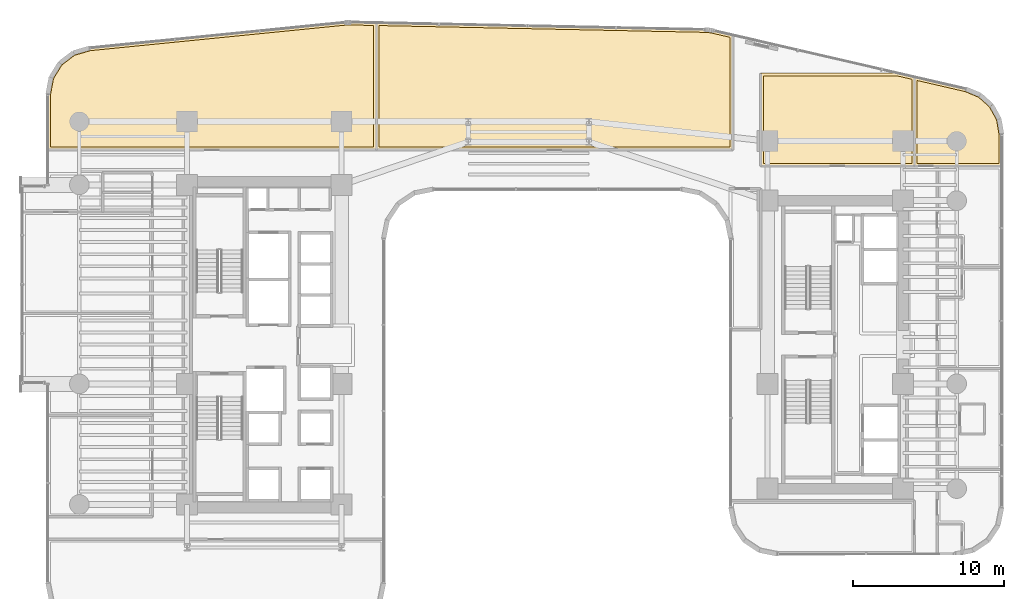
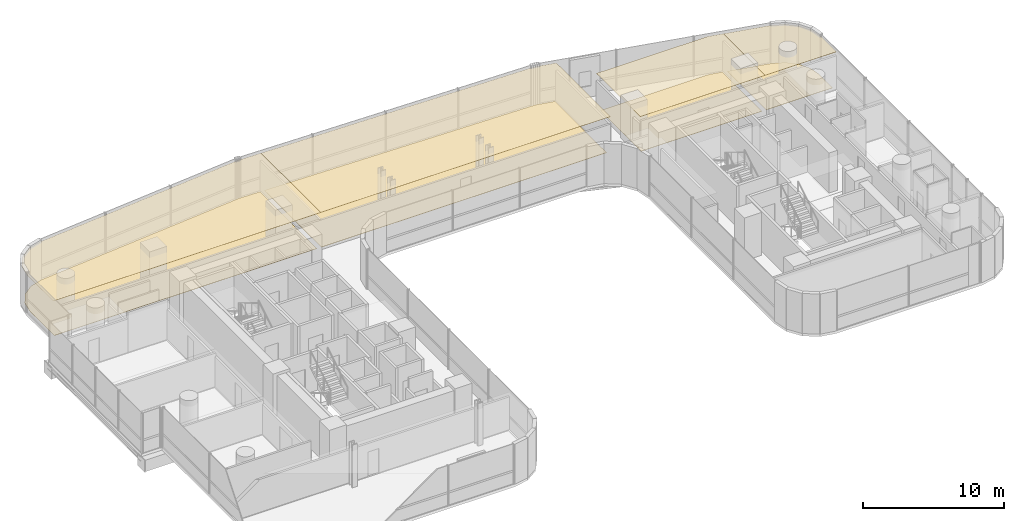
# One storey, part 39 of 39: 8 coverings.
"""IFC4 building model written with IfcOpenShell, lengths in metres."""

from ifc_helpers import new_model, si_unit, direction, frame, origin, place, context, subcontext, project, spatial, polyline, outline, extrude, material, layer, layer_set, type_object, element, save


model = new_model("IFC4")

# Units and contexts
model_context = context("Model", 3, precision=1e-05, world=origin(), true_north=direction((0.0, 1.0)))
body_context = subcontext(model_context, "Body", "Model", "MODEL_VIEW")
ifc_project = project(units=[si_unit("LENGTHUNIT", "METRE"), si_unit("AREAUNIT", "SQUARE_METRE"), si_unit("VOLUMEUNIT", "CUBIC_METRE"), si_unit("PLANEANGLEUNIT", "RADIAN"), si_unit("MASSUNIT", "GRAM", prefix="KILO")], contexts=[model_context])

# Site, building, storey
site_placement = place(None, origin())
site = spatial("IfcSite", under=ifc_project, at=site_placement, CompositionType="ELEMENT")
building_placement = place(site_placement, origin())
building = spatial("IfcBuilding", under=site, at=building_placement, Name="Valdorenza Pilgrim Sanctuary Tower", CompositionType="ELEMENT")
storey_placement = place(building_placement, frame((0.0, 0.0, 70.39990234375)))
storey = spatial("IfcBuildingStorey", under=building, at=storey_placement, Name="L17", CompositionType="ELEMENT", Elevation=70.39990234375)

# Coverings
ifc_material_1 = material(Name="Micro-perforated acoustic mineral ceiling tile", Category="gypsum")
ifc_layer_1 = layer(ifc_material_1, 0.02490234375, Name="Micro-perforated acoustic mineral ceiling tile")
ifc_layer_set_1 = layer_set([ifc_layer_1], Name="Micro-perforated acoustic mineral ceiling tile")
covering_type_1 = type_object("IfcCoveringType", Name="COV-CLG-ACU", PredefinedType="CEILING", material=ifc_layer_set_1)
covering_1_placement = place(storey_placement, frame((0.0, 0.0, 3.16015625)))
element("IfcCovering", 1, at=covering_1_placement, inside=storey, type_object=covering_type_1, Name="L17 Private Banquet Dining Room L17-N1 Acoustic Ceiling", PredefinedType="CEILING", context=body_context, shape_type="SweptSolid", body=[
    extrude(outline(polyline([(-31.889892578125, 12.905029296875), (-31.8916015625, 12.905029296875), (-31.892822265625, 12.9052734375), (-31.894287109375, 12.905517578125), (-31.895751953125, 12.906005859375), (-31.897216796875, 12.90673828125), (-31.898193359375, 12.907470703125), (-31.8994140625, 12.908447265625), (-31.900634765625, 12.909423828125), (-31.901611328125, 12.910400390625), (-31.902587890625, 12.91162109375), (-31.9033203125, 12.912841796875), (-31.90380859375, 12.914306640625), (-31.904296875, 12.91552734375), (-31.90478515625, 12.9169921875), (-31.90478515625, 12.91845703125), (-31.905029296875, 12.919921875), (-31.905029296875, 16.593994140625), (-31.90478515625, 16.59521484375), (-31.90478515625, 16.5966796875), (-31.6962890625, 17.717041015625), (-31.696044921875, 17.718505859375), (-31.695556640625, 17.7197265625), (-31.695068359375, 17.720947265625), (-31.6943359375, 17.72216796875), (-31.102294921875, 18.68408203125), (-31.1015625, 18.685302734375), (-31.100830078125, 18.686279296875), (-31.099853515625, 18.687255859375), (-31.0986328125, 18.688232421875), (-30.20068359375, 19.372802734375), (-30.199462890625, 19.37353515625), (-30.1982421875, 19.374267578125), (-30.197021484375, 19.374755859375), (-30.19580078125, 19.375244140625), (-29.1015625, 19.694091796875), (-29.10009765625, 19.694580078125), (-29.098876953125, 19.694580078125), (-12.18359375, 21.38623046875), (-12.183349609375, 21.38623046875), (-12.089599609375, 21.39404296875), (-12.089111328125, 21.39404296875), (-11.996337890625, 21.399169921875), (-11.995849609375, 21.3994140625), (-11.902587890625, 21.401611328125), (-11.90234375, 21.401611328125), (-11.808349609375, 21.40087890625), (-11.80810546875, 21.40087890625), (-10.0947265625, 21.365234375), (-10.09326171875, 21.365234375), (-10.091796875, 21.364990234375), (-10.09033203125, 21.364501953125), (-10.089111328125, 21.364013671875), (-10.087646484375, 21.36328125), (-10.08642578125, 21.36279296875), (-10.085205078125, 21.36181640625), (-10.084228515625, 21.36083984375), (-10.083251953125, 21.359619140625), (-10.08251953125, 21.3583984375), (-10.081787109375, 21.357421875), (-10.0810546875, 21.35595703125), (-10.08056640625, 21.3544921875), (-10.080322265625, 21.353271484375), (-10.080078125, 21.351806640625), (-10.080078125, 21.350341796875), (-10.080078125, 12.919921875), (-10.080078125, 12.91845703125), (-10.080322265625, 12.9169921875), (-10.08056640625, 12.91552734375), (-10.0810546875, 12.914306640625), (-10.081787109375, 12.912841796875), (-10.08251953125, 12.91162109375), (-10.08349609375, 12.910400390625), (-10.08447265625, 12.909423828125), (-10.08544921875, 12.908447265625), (-10.086669921875, 12.907470703125), (-10.087890625, 12.90673828125), (-10.08935546875, 12.906005859375), (-10.090576171875, 12.905517578125), (-10.092041015625, 12.9052734375), (-10.093505859375, 12.905029296875), (-10.094970703125, 12.905029296875), (-31.889892578125, 12.905029296875)])), origin(), (0.0, 0.0, 1.0), 0.02490234375),
])
covering_2_placement = place(storey_placement, frame((0.0, 0.0, 3.16015625)))
element("IfcCovering", 2, at=covering_2_placement, inside=storey, type_object=covering_type_1, Name="L17 Private Banquet Dining Room L17-N2 Acoustic Ceiling", PredefinedType="CEILING", context=body_context, shape_type="SweptSolid", body=[
    extrude(outline(polyline([(-10.093017578125, 12.905029296875), (-10.094482421875, 12.905029296875), (-10.095947265625, 12.9052734375), (-10.097412109375, 12.905517578125), (-10.0986328125, 12.906005859375), (-10.10009765625, 12.90673828125), (-10.101318359375, 12.907470703125), (-10.1025390625, 12.908447265625), (-10.103515625, 12.909423828125), (-10.1044921875, 12.910400390625), (-10.10546875, 12.91162109375), (-10.106201171875, 12.912841796875), (-10.10693359375, 12.914306640625), (-10.107421875, 12.91552734375), (-10.107666015625, 12.9169921875), (-10.10791015625, 12.91845703125), (-10.10791015625, 12.919921875), (-10.10791015625, 21.350341796875), (-10.10791015625, 21.351806640625), (-10.107666015625, 21.353271484375), (-10.107421875, 21.354736328125), (-10.106689453125, 21.356201171875), (-10.106201171875, 21.357421875), (-10.10546875, 21.358642578125), (-10.1044921875, 21.35986328125), (-10.103515625, 21.361083984375), (-10.102294921875, 21.362060546875), (-10.101318359375, 21.36279296875), (-10.099853515625, 21.363525390625), (-10.098388671875, 21.3642578125), (-10.09716796875, 21.36474609375), (-10.095703125, 21.364990234375), (-10.09423828125, 21.365234375), (-10.0927734375, 21.365234375), (11.666015625, 20.912109375), (11.66650390625, 20.911865234375), (11.82666015625, 20.904296875), (11.827392578125, 20.904296875), (11.98583984375, 20.888916015625), (11.986572265625, 20.888671875), (12.143798828125, 20.864990234375), (12.14453125, 20.864990234375), (12.302001953125, 20.832763671875), (12.30224609375, 20.832763671875), (13.553466796875, 20.5439453125), (13.5546875, 20.543701171875), (13.55615234375, 20.543212890625), (13.557373046875, 20.54248046875), (13.55859375, 20.541748046875), (13.559814453125, 20.540771484375), (13.560791015625, 20.539794921875), (13.561767578125, 20.538818359375), (13.5625, 20.53759765625), (13.563232421875, 20.536376953125), (13.56396484375, 20.534912109375), (13.564453125, 20.53369140625), (13.564697265625, 20.5322265625), (13.56494140625, 20.53076171875), (13.56494140625, 20.529296875), (13.56494140625, 12.919921875), (13.56494140625, 12.91845703125), (13.564697265625, 12.9169921875), (13.564453125, 12.91552734375), (13.56396484375, 12.914306640625), (13.563232421875, 12.912841796875), (13.5625, 12.91162109375), (13.5615234375, 12.910400390625), (13.560546875, 12.909423828125), (13.5595703125, 12.908447265625), (13.558349609375, 12.907470703125), (13.55712890625, 12.90673828125), (13.5556640625, 12.906005859375), (13.554443359375, 12.905517578125), (13.552978515625, 12.9052734375), (13.551513671875, 12.905029296875), (13.550048828125, 12.905029296875), (-10.093017578125, 12.905029296875)])), origin(), (0.0, 0.0, 1.0), 0.02490234375),
])
covering_3_placement = place(storey_placement, frame((0.0, 0.0, 3.16015625)))
element("IfcCovering", 3, at=covering_3_placement, inside=storey, type_object=covering_type_1, Name="L17 Curator Research Office L17-BN1 Acoustic Ceiling", PredefinedType="CEILING", context=body_context, shape_type="SweptSolid", body=[
    extrude(outline(polyline([(15.39990234375, 11.8349609375), (15.3984375, 11.835205078125), (15.397216796875, 11.835205078125), (15.3955078125, 11.835693359375), (15.394287109375, 11.836181640625), (15.392822265625, 11.8369140625), (15.3916015625, 11.83740234375), (15.390380859375, 11.83837890625), (15.389404296875, 11.83935546875), (15.388427734375, 11.840576171875), (15.387451171875, 11.841796875), (15.38671875, 11.843017578125), (15.385986328125, 11.84423828125), (15.385498046875, 11.845703125), (15.38525390625, 11.84716796875), (15.385009765625, 11.848388671875), (15.385009765625, 11.85009765625), (15.385009765625, 18.0), (15.385009765625, 18.00146484375), (15.38525390625, 18.0029296875), (15.385498046875, 18.00439453125), (15.385986328125, 18.005615234375), (15.38671875, 18.007080078125), (15.387451171875, 18.00830078125), (15.388427734375, 18.009521484375), (15.389404296875, 18.010498046875), (15.390380859375, 18.01171875), (15.3916015625, 18.012451171875), (15.392822265625, 18.01318359375), (15.394287109375, 18.013916015625), (15.3955078125, 18.014404296875), (15.397216796875, 18.0146484375), (15.3984375, 18.014892578125), (15.39990234375, 18.014892578125), (24.5107421875, 18.014892578125), (24.512451171875, 18.014892578125), (24.51416015625, 18.0146484375), (25.603515625, 17.76318359375), (25.604736328125, 17.762939453125), (25.606201171875, 17.76220703125), (25.607421875, 17.76171875), (25.608642578125, 17.760986328125), (25.609619140625, 17.760009765625), (25.61083984375, 17.759033203125), (25.61181640625, 17.758056640625), (25.612548828125, 17.7568359375), (25.61328125, 17.755615234375), (25.614013671875, 17.75439453125), (25.614501953125, 17.7529296875), (25.61474609375, 17.75146484375), (25.614990234375, 17.75), (25.614990234375, 17.74853515625), (25.614990234375, 11.85009765625), (25.614990234375, 11.848388671875), (25.61474609375, 11.84716796875), (25.614501953125, 11.845703125), (25.614013671875, 11.84423828125), (25.61328125, 11.843017578125), (25.612548828125, 11.841796875), (25.611572265625, 11.840576171875), (25.610595703125, 11.83935546875), (25.609619140625, 11.83837890625), (25.6083984375, 11.83740234375), (25.607177734375, 11.8369140625), (25.605712890625, 11.836181640625), (25.6044921875, 11.835693359375), (25.602783203125, 11.835205078125), (25.6015625, 11.835205078125), (25.60009765625, 11.8349609375), (15.39990234375, 11.8349609375)])), origin(), (0.0, 0.0, 1.0), 0.02490234375),
])
covering_4_placement = place(storey_placement, frame((0.0, 0.0, 3.16015625)))
element("IfcCovering", 4, at=covering_4_placement, inside=storey, type_object=covering_type_1, Name="L17 East Wing Reference Library L17-BNE Acoustic Ceiling", PredefinedType="CEILING", context=body_context, shape_type="SweptSolid", body=[
    extrude(outline(polyline([(28.9892578125, 16.98193359375), (28.990478515625, 16.981689453125), (28.99169921875, 16.981201171875), (29.95361328125, 16.580322265625), (29.955078125, 16.57958984375), (29.95654296875, 16.57861328125), (29.9580078125, 16.57763671875), (30.72705078125, 15.88818359375), (30.728271484375, 15.886962890625), (30.729248046875, 15.8857421875), (30.72998046875, 15.88427734375), (31.22900390625, 14.97998046875), (31.2294921875, 14.978271484375), (31.230224609375, 14.976806640625), (31.230712890625, 14.97509765625), (31.40478515625, 13.947509765625), (31.40478515625, 13.9462890625), (31.405029296875, 13.945068359375), (31.405029296875, 11.85009765625), (31.40478515625, 11.848388671875), (31.40478515625, 11.84716796875), (31.404296875, 11.845703125), (31.40380859375, 11.84423828125), (31.4033203125, 11.843017578125), (31.402587890625, 11.841796875), (31.401611328125, 11.840576171875), (31.400634765625, 11.83935546875), (31.3994140625, 11.83837890625), (31.398193359375, 11.83740234375), (31.397216796875, 11.8369140625), (31.395751953125, 11.836181640625), (31.394287109375, 11.835693359375), (31.392822265625, 11.835205078125), (31.3916015625, 11.835205078125), (31.389892578125, 11.8349609375), (25.60205078125, 11.8349609375), (25.6005859375, 11.835205078125), (25.59912109375, 11.835205078125), (25.59765625, 11.835693359375), (25.59619140625, 11.836181640625), (25.594970703125, 11.8369140625), (25.59375, 11.83740234375), (25.592529296875, 11.83837890625), (25.59130859375, 11.83935546875), (25.59033203125, 11.840576171875), (25.589599609375, 11.841796875), (25.5888671875, 11.843017578125), (25.588134765625, 11.84423828125), (25.587646484375, 11.845703125), (25.58740234375, 11.84716796875), (25.587158203125, 11.848388671875), (25.5869140625, 11.85009765625), (25.5869140625, 17.748291015625), (25.587158203125, 17.749755859375), (25.58740234375, 17.751220703125), (25.587646484375, 17.752685546875), (25.588134765625, 17.75390625), (25.5888671875, 17.75537109375), (25.589599609375, 17.756591796875), (25.590576171875, 17.7578125), (25.591552734375, 17.7587890625), (25.5927734375, 17.760009765625), (25.593994140625, 17.7607421875), (25.59521484375, 17.761474609375), (25.596435546875, 17.76220703125), (25.597900390625, 17.7626953125), (25.599365234375, 17.762939453125), (25.600830078125, 17.76318359375), (25.602294921875, 17.76318359375), (25.60400390625, 17.76318359375), (25.60546875, 17.7626953125), (28.9892578125, 16.98193359375)])), origin(), (0.0, 0.0, 1.0), 0.02490234375),
])
ifc_material_2 = material(Name="Engineered European oak timber flooring", Category="wood")
ifc_layer_2 = layer(ifc_material_2, 0.02197265625, Name="Engineered European oak timber flooring")
ifc_layer_set_2 = layer_set([ifc_layer_2], Name="Engineered European oak timber flooring")
covering_type_2 = type_object("IfcCoveringType", Name="COV-FLR-OAK", PredefinedType="FLOORING", material=ifc_layer_set_2)
covering_5_placement = place(storey_placement, origin())
element("IfcCovering", 5, at=covering_5_placement, inside=storey, type_object=covering_type_2, Name="L17 Private Banquet Dining Room L17-N1 Flooring", PredefinedType="FLOORING", context=body_context, shape_type="SweptSolid", body=[
    extrude(outline(polyline([(-31.7099609375, 13.10009765625), (-31.7099609375, 16.577392578125), (-31.5107421875, 17.6484375), (-30.953857421875, 18.553466796875), (-30.109130859375, 19.197509765625), (-29.06298828125, 19.502197265625), (-12.16552734375, 21.19189453125), (-12.07568359375, 21.19970703125), (-11.98828125, 21.204345703125), (-11.900634765625, 21.20654296875), (-11.810791015625, 21.2060546875), (-10.27490234375, 21.174072265625), (-10.27490234375, 13.10009765625), (-31.7099609375, 13.10009765625)])), origin(), (0.0, 0.0, 1.0), 0.025146484375),
])
covering_6_placement = place(storey_placement, origin())
element("IfcCovering", 6, at=covering_6_placement, inside=storey, type_object=covering_type_2, Name="L17 Private Banquet Dining Room L17-N2 Flooring", PredefinedType="FLOORING", context=body_context, shape_type="SweptSolid", body=[
    extrude(outline(polyline([(-9.9130859375, 13.10009765625), (-9.9130859375, 21.16650390625), (11.65966796875, 20.717041015625), (11.81298828125, 20.7099609375), (11.962158203125, 20.6953125), (12.110107421875, 20.6728515625), (12.2607421875, 20.64208984375), (13.3701171875, 20.38623046875), (13.3701171875, 13.10009765625), (-9.9130859375, 13.10009765625)])), origin(), (0.0, 0.0, 1.0), 0.025146484375),
])
ifc_material_3 = material(Name="Honed travertine stone flooring", Category="masonry")
ifc_layer_3 = layer(ifc_material_3, 0.030029296875, Name="Honed travertine stone flooring")
ifc_layer_set_3 = layer_set([ifc_layer_3], Name="Honed travertine stone flooring")
covering_type_3 = type_object("IfcCoveringType", Name="COV-FLR-TRV", PredefinedType="FLOORING", material=ifc_layer_set_3)
covering_7_placement = place(storey_placement, origin())
element("IfcCovering", 7, at=covering_7_placement, inside=storey, type_object=covering_type_3, Name="L17 Curator Research Office L17-BN1 Flooring", PredefinedType="FLOORING", context=body_context, shape_type="SweptSolid", body=[
    extrude(outline(polyline([(15.580078125, 12.030029296875), (15.580078125, 17.820068359375), (24.490234375, 17.820068359375), (25.419921875, 17.60546875), (25.419921875, 12.030029296875), (15.580078125, 12.030029296875)])), origin(), (0.0, 0.0, 1.0), 0.025146484375),
])
covering_8_placement = place(storey_placement, origin())
element("IfcCovering", 8, at=covering_8_placement, inside=storey, type_object=covering_type_3, Name="L17 East Wing Reference Library L17-BNE Flooring", PredefinedType="FLOORING", context=body_context, shape_type="SweptSolid", body=[
    extrude(outline(polyline([(28.9306640625, 16.79541015625), (29.8505859375, 16.412109375), (30.57421875, 15.763427734375), (31.04345703125, 14.912353515625), (31.2099609375, 13.929931640625), (31.2099609375, 12.030029296875), (25.781982421875, 12.030029296875), (25.781982421875, 17.52197265625), (28.9306640625, 16.79541015625)])), origin(), (0.0, 0.0, 1.0), 0.025146484375),
])

save(model, "model.ifc")
